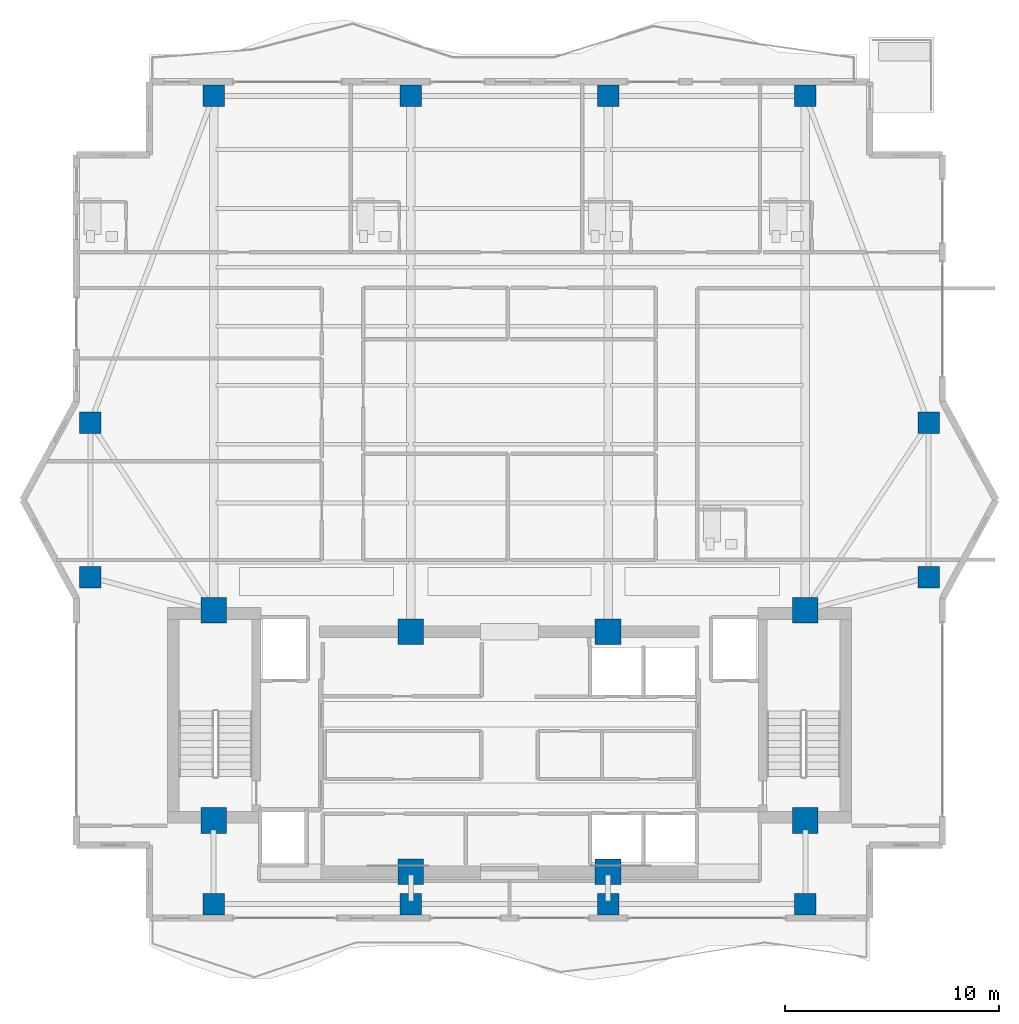
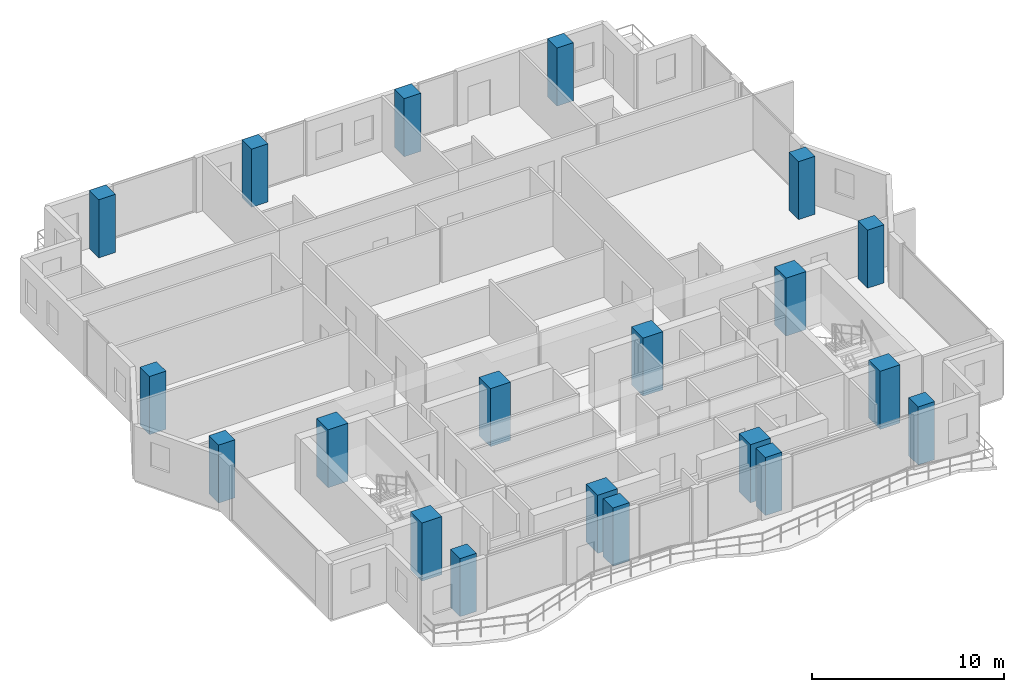
# One storey, part 1 of 23: 20 columns.
"""IFC4 building model written with IfcOpenShell, lengths in metres."""

from ifc_helpers import new_model, si_unit, direction, frame, origin, origin_2d, place, context, subcontext, project, spatial, rectangle, extrude, material, material_profile, profile_set, type_object, element, save


model = new_model("IFC4")

# Units and contexts
model_context = context("Model", 3, precision=1e-05, world=origin(), true_north=direction((0.0, 1.0)))
body_context = subcontext(model_context, "Body", "Model", "MODEL_VIEW")
ifc_project = project(units=[si_unit("LENGTHUNIT", "METRE"), si_unit("AREAUNIT", "SQUARE_METRE"), si_unit("VOLUMEUNIT", "CUBIC_METRE"), si_unit("PLANEANGLEUNIT", "RADIAN"), si_unit("MASSUNIT", "GRAM", prefix="KILO")], contexts=[model_context])

# Site, building, storey
site_placement = place(None, origin())
site = spatial("IfcSite", under=ifc_project, at=site_placement, CompositionType="ELEMENT")
building_placement = place(site_placement, origin())
building = spatial("IfcBuilding", under=site, at=building_placement, Name="Zuhayl Quay Hotel", CompositionType="ELEMENT")
storey_placement = place(building_placement, frame((0.0, 0.0, 261.85009765625)))
storey = spatial("IfcBuildingStorey", under=building, at=storey_placement, Name="L66", CompositionType="ELEMENT", Elevation=261.85009765625)

# Columns
ifc_material = material(Name="Concrete C60/75", Category="concrete")
ifc_material_profile_1 = material_profile(ifc_material, rectangle(XDim=1.199951171875, YDim=1.199951171875, at=origin_2d()), Name="RC1200X1200")
ifc_profile_set_1 = profile_set([ifc_material_profile_1], Name="Concrete C60/75")
column_type_1 = type_object("IfcColumnType", Name="CL_CC2_1200", PredefinedType="COLUMN", material=ifc_profile_set_1)
for number, where, z_axis, x_axis, name in (
    (1, (-13.800048828125, 14.35009765625, 0.0), (0.0, 0.0, 1.0), (1.0, 0.0, 0.0), "L66 Core Column CC_NW"),
    (2, (-4.60009765625, 13.35009765625, 0.0), (0.0, 0.0, 1.0), (1.0, 0.0, 0.0), "L66 Core Column CC_CNW"),
    (3, (4.60009765625, 13.35009765625, 0.0), (0.0, 0.0, 1.0), (1.0, 0.0, 0.0), "L66 Core Column CC_CNE"),
    (4, (13.800048828125, 14.35009765625, 0.0), (0.0, 0.0, 1.0), (1.0, 0.0, 0.0), "L66 Core Column CC_NE"),
    (5, (-13.800048828125, 4.550048828125, 0.0), (0.0, 0.0, 1.0), (1.0, 0.0, 0.0), "L66 Core Column CC_SW"),
    (6, (-4.60009765625, 2.14990234375, 0.0), (0.0, 0.0, 1.0), (1.0, 0.0, 0.0), "L66 Core Column CC_CSW"),
    (7, (4.60009765625, 2.14990234375, 0.0), (0.0, 0.0, 1.0), (1.0, 0.0, 0.0), "L66 Core Column CC_CSE"),
    (8, (13.800048828125, 4.550048828125, 0.0), (0.0, 0.0, 1.0), (1.0, 0.0, 0.0), "L66 Core Column CC_SE"),
):
    element("IfcColumn", number, at=place(storey_placement, frame(where, z_axis=z_axis, x_axis=x_axis)), inside=storey, type_object=column_type_1, Name=name, PredefinedType="COLUMN", context=body_context, shape_type="SweptSolid", body=[
        extrude(rectangle(XDim=1.199951171875, YDim=1.199951171875, at=origin_2d()), origin(), (0.0, 0.0, 1.0), 3.699951171875),
    ])
ifc_material_profile_2 = material_profile(ifc_material, rectangle(XDim=1.0, YDim=1.0, at=origin_2d()), Name="RC1000X1000")
ifc_profile_set_2 = profile_set([ifc_material_profile_2], Name="Concrete C60/75")
column_type_2 = type_object("IfcColumnType", Name="CL_MC4_1000", PredefinedType="COLUMN", material=ifc_profile_set_2)
for number, where, z_axis, x_axis, name in (
    (9, (-13.800048828125, 0.64990234375, 0.0), (0.0, 0.0, 1.0), (1.0, 0.0, 0.0), "L66 Mega-Column MC_S1"),
    (10, (-4.60009765625, 0.64990234375, 0.0), (0.0, 0.0, 1.0), (1.0, 0.0, 0.0), "L66 Mega-Column MC_S2"),
    (11, (4.60009765625, 0.64990234375, 0.0), (0.0, 0.0, 1.0), (1.0, 0.0, 0.0), "L66 Mega-Column MC_S3"),
    (12, (13.800048828125, 0.64990234375, 0.0), (0.0, 0.0, 1.0), (1.0, 0.0, 0.0), "L66 Mega-Column MC_S4"),
    (13, (-13.800048828125, 38.35009765625, 0.0), (0.0, 0.0, 1.0), (1.0, 0.0, 0.0), "L66 Mega-Column MC_N1"),
    (14, (-4.60009765625, 38.35009765625, 0.0), (0.0, 0.0, 1.0), (1.0, 0.0, 0.0), "L66 Mega-Column MC_N2"),
    (15, (4.60009765625, 38.35009765625, 0.0), (0.0, 0.0, 1.0), (1.0, 0.0, 0.0), "L66 Mega-Column MC_N3"),
    (16, (13.800048828125, 38.35009765625, 0.0), (0.0, 0.0, 1.0), (1.0, 0.0, 0.0), "L66 Mega-Column MC_N4"),
    (17, (-19.550048828125, 15.89990234375, 0.0), (0.0, 0.0, 1.0), (1.0, 0.0, 0.0), "L66 Mega-Column MC_W1"),
    (18, (-19.550048828125, 23.10009765625, 0.0), (0.0, 0.0, 1.0), (1.0, 0.0, 0.0), "L66 Mega-Column MC_W2"),
    (19, (19.550048828125, 15.89990234375, 0.0), (0.0, 0.0, 1.0), (1.0, 0.0, 0.0), "L66 Mega-Column MC_E1"),
    (20, (19.550048828125, 23.10009765625, 0.0), (0.0, 0.0, 1.0), (1.0, 0.0, 0.0), "L66 Mega-Column MC_E2"),
):
    element("IfcColumn", number, at=place(storey_placement, frame(where, z_axis=z_axis, x_axis=x_axis)), inside=storey, type_object=column_type_2, Name=name, PredefinedType="COLUMN", context=body_context, shape_type="SweptSolid", body=[
        extrude(rectangle(XDim=1.0, YDim=1.0, at=origin_2d()), origin(), (0.0, 0.0, 1.0), 3.699951171875),
    ])

save(model, "model.ifc")
